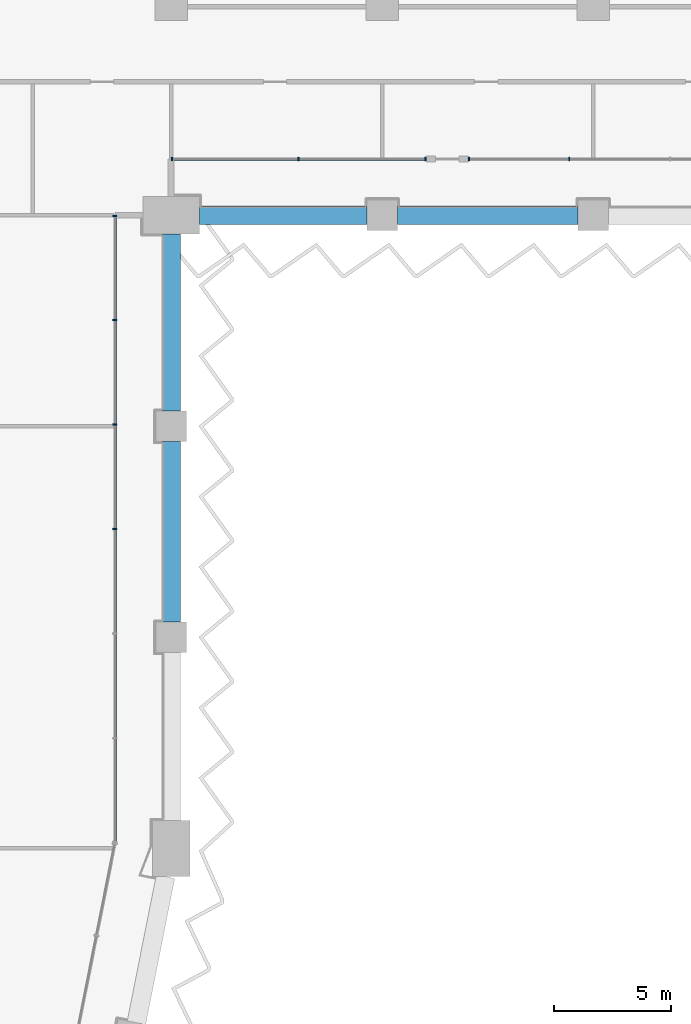
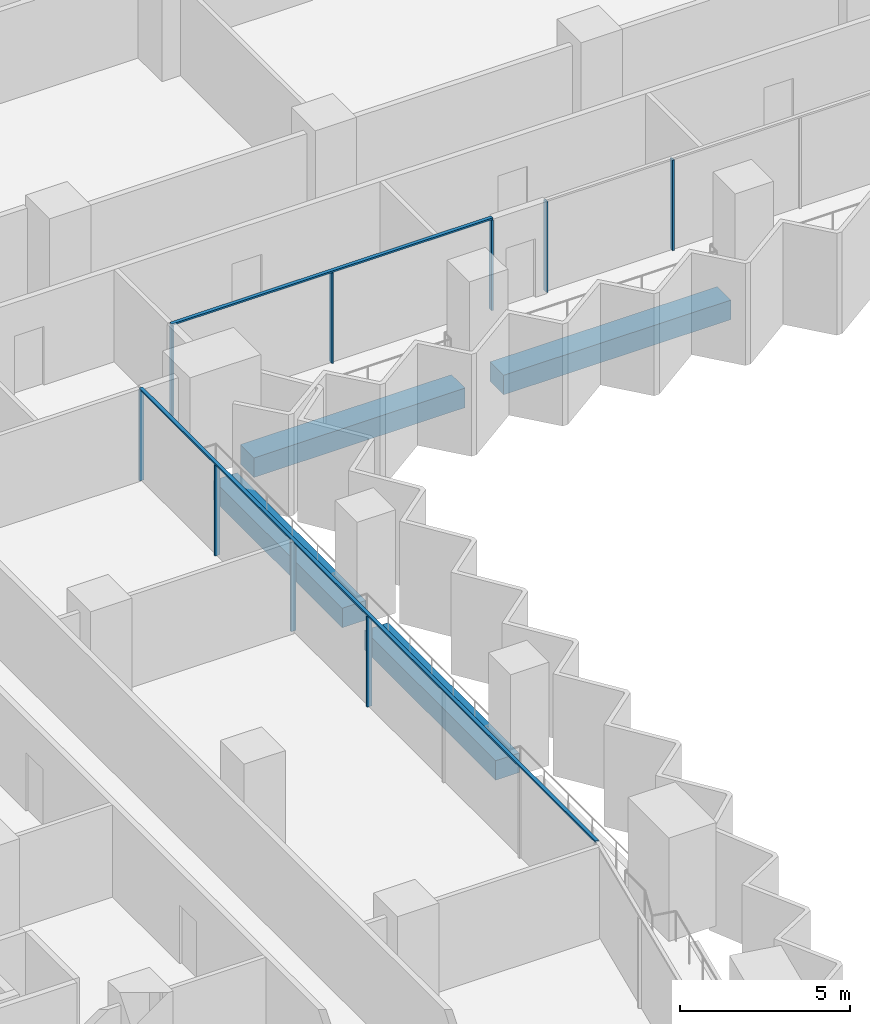
# One storey, part 4 of 29: 11 members, 4 beams, 3 elements without a shape of their own.
"""IFC4 building model written with IfcOpenShell, lengths in metres."""

from ifc_helpers import new_model, si_unit, direction, frame, origin, origin_2d, place, context, subcontext, project, spatial, rectangle, extrude, material, material_profile, profile_set, type_object, element, aggregate, save


model = new_model("IFC4")

# Units and contexts
model_context = context("Model", 3, precision=1e-05, world=origin(), true_north=direction((0.0, 1.0)))
body_context = subcontext(model_context, "Body", "Model", "MODEL_VIEW")
ifc_project = project(units=[si_unit("LENGTHUNIT", "METRE"), si_unit("AREAUNIT", "SQUARE_METRE"), si_unit("VOLUMEUNIT", "CUBIC_METRE"), si_unit("PLANEANGLEUNIT", "RADIAN"), si_unit("MASSUNIT", "GRAM", prefix="KILO")], contexts=[model_context])

# Site, building, storey
site_placement = place(None, origin())
site = spatial("IfcSite", under=ifc_project, at=site_placement, CompositionType="ELEMENT")
building_placement = place(site_placement, origin())
building = spatial("IfcBuilding", under=site, at=building_placement, Name="Hunhe Ridgeline Campus", CompositionType="ELEMENT")
storey_placement = place(building_placement, frame((0.0, 0.0, 54.300048828125)))
storey = spatial("IfcBuildingStorey", under=building, at=storey_placement, Name="L12", CompositionType="ELEMENT", Elevation=54.300048828125)

# Curtain wall, members
ifc_material_1 = material(Name="Aluminium 6063", Category="aluminium")
curtain_wall_type = type_object("IfcCurtainWallType", Name="Curtain wall CW-1", PredefinedType="NOTDEFINED", material=ifc_material_1)
curtain_wall_1_placement = place(storey_placement, origin())
curtain_wall_1 = element("IfcCurtainWall", 1, at=curtain_wall_1_placement, inside=storey, type_object=curtain_wall_type, Name="Curtain wall 11", PredefinedType="NOTDEFINED")
ifc_material_profile_1 = material_profile(ifc_material_1, rectangle(XDim=0.159912109375, YDim=0.06005859375, at=origin_2d()))
ifc_profile_set_1 = profile_set([ifc_material_profile_1], Name="Aluminium 6063")
member_type_1 = type_object("IfcMemberType", Name="CW-1 aluminium mullion", PredefinedType="MULLION", material=ifc_profile_set_1)
member_1_placement = place(storey_placement, frame((42.59912109375, 40.618408203125, 0.0), z_axis=(0.0, 0.0, 1.0), x_axis=(-1.0, 1.8682e-07, 0.0)))
member_1 = element("IfcMember", 2, at=member_1_placement, type_object=member_type_1, Name="CW-1 mullion 4", PredefinedType="MULLION", context=body_context, shape_type="SweptSolid", body=[
    extrude(rectangle(XDim=0.159912109375, YDim=0.06005859375, at=origin_2d()), origin(), (0.0, 0.0, 1.0), 3.239990234375),
])
member_2_placement = place(storey_placement, frame((42.59912109375, 45.078857421875, 0.0), z_axis=(0.0, 0.0, 1.0), x_axis=(-1.0, 1.8682e-07, 0.0)))
member_2 = element("IfcMember", 3, at=member_2_placement, type_object=member_type_1, Name="CW-1 mullion 5", PredefinedType="MULLION", context=body_context, shape_type="SweptSolid", body=[
    extrude(rectangle(XDim=0.159912109375, YDim=0.06005859375, at=origin_2d()), origin(), (0.0, 0.0, 1.0), 3.239990234375),
])
member_3_placement = place(storey_placement, frame((42.59912109375, 49.53955078125, 0.0), z_axis=(0.0, 0.0, 1.0), x_axis=(-1.0, 1.8682e-07, 0.0)))
member_3 = element("IfcMember", 4, at=member_3_placement, type_object=member_type_1, Name="CW-1 mullion 6", PredefinedType="MULLION", context=body_context, shape_type="SweptSolid", body=[
    extrude(rectangle(XDim=0.159912109375, YDim=0.06005859375, at=origin_2d()), origin(), (0.0, 0.0, 1.0), 3.239990234375),
])
member_4_placement = place(storey_placement, frame((42.59912109375, 53.97021484375, 0.0), z_axis=(0.0, 0.0, 1.0), x_axis=(-1.0, 1.8682e-07, 0.0)))
member_4 = element("IfcMember", 5, at=member_4_placement, type_object=member_type_1, Name="CW-1 mullion 7", PredefinedType="MULLION", context=body_context, shape_type="SweptSolid", body=[
    extrude(rectangle(XDim=0.159912109375, YDim=0.06005859375, at=origin_2d()), origin(), (0.0, 0.0, 1.0), 3.239990234375),
])

curtain_wall_2_placement = place(storey_placement, origin())
curtain_wall_2 = element("IfcCurtainWall", 6, at=curtain_wall_2_placement, inside=storey, type_object=curtain_wall_type, Name="Curtain wall 12", PredefinedType="NOTDEFINED")
member_5_placement = place(storey_placement, frame((45.029541015625, 56.40087890625, 0.0), z_axis=(0.0, 0.0, 1.0), x_axis=(-3.58625e-06, 0.999999999994, 0.0)))
member_5 = element("IfcMember", 7, at=member_5_placement, type_object=member_type_1, Name="CW-1 mullion 1", PredefinedType="MULLION", context=body_context, shape_type="SweptSolid", body=[
    extrude(rectangle(XDim=0.159912109375, YDim=0.06005859375, at=origin_2d()), origin(), (0.0, 0.0, 1.0), 3.239990234375),
])
member_6_placement = place(storey_placement, frame((50.436767578125, 56.40087890625, 0.0), z_axis=(0.0, 0.0, 1.0), x_axis=(-3.58625e-06, 0.999999999994, 0.0)))
member_6 = element("IfcMember", 8, at=member_6_placement, type_object=member_type_1, Name="CW-1 mullion 2", PredefinedType="MULLION", context=body_context, shape_type="SweptSolid", body=[
    extrude(rectangle(XDim=0.159912109375, YDim=0.06005859375, at=origin_2d()), origin(), (0.0, 0.0, 1.0), 3.239990234375),
])
member_7_placement = place(storey_placement, frame((55.84423828125, 56.40087890625, 0.0), z_axis=(0.0, 0.0, 1.0), x_axis=(-3.58625e-06, 0.999999999994, 0.0)))
member_7 = element("IfcMember", 9, at=member_7_placement, type_object=member_type_1, Name="CW-1 mullion 3", PredefinedType="MULLION", context=body_context, shape_type="SweptSolid", body=[
    extrude(rectangle(XDim=0.159912109375, YDim=0.06005859375, at=origin_2d()), origin(), (0.0, 0.0, 1.0), 3.239990234375),
])

curtain_wall_3_placement = place(storey_placement, origin())
curtain_wall_3 = element("IfcCurtainWall", 10, at=curtain_wall_3_placement, inside=storey, type_object=curtain_wall_type, Name="Curtain wall 13", PredefinedType="NOTDEFINED")
member_8_placement = place(storey_placement, frame((57.704345703125, 56.40087890625, 0.0), z_axis=(0.0, 0.0, 1.0), x_axis=(-3.602063e-06, 0.999999999994, 0.0)))
member_8 = element("IfcMember", 11, at=member_8_placement, type_object=member_type_1, Name="CW-1 mullion 1", PredefinedType="MULLION", context=body_context, shape_type="SweptSolid", body=[
    extrude(rectangle(XDim=0.159912109375, YDim=0.06005859375, at=origin_2d()), origin(), (0.0, 0.0, 1.0), 3.239990234375),
])
member_9_placement = place(storey_placement, frame((61.977294921875, 56.40087890625, 0.0), z_axis=(0.0, 0.0, 1.0), x_axis=(-3.602063e-06, 0.999999999994, 0.0)))
member_9 = element("IfcMember", 12, at=member_9_placement, type_object=member_type_1, Name="CW-1 mullion 2", PredefinedType="MULLION", context=body_context, shape_type="SweptSolid", body=[
    extrude(rectangle(XDim=0.159912109375, YDim=0.06005859375, at=origin_2d()), origin(), (0.0, 0.0, 1.0), 3.239990234375),
])
aggregate(curtain_wall_3, [member_8, member_9])

# Member
ifc_material_profile_2 = material_profile(ifc_material_1, rectangle(XDim=0.1201171875, YDim=0.06005859375, at=origin_2d()))
ifc_profile_set_2 = profile_set([ifc_material_profile_2], Name="Aluminium 6063")
member_type_2 = type_object("IfcMemberType", Name="CW-1 aluminium transom", PredefinedType="USERDEFINED", material=ifc_profile_set_2)
member_10_placement = place(storey_placement, frame((42.59912109375, 27.236572265625, 3.27001953125), z_axis=(0.0, 1.0, 0.0), x_axis=(-1.0, 0.0, 0.0)))
member_10 = element("IfcMember", 13, at=member_10_placement, type_object=member_type_2, Name="CW-1 transom 1", ObjectType="TRANSOM", PredefinedType="USERDEFINED", context=body_context, shape_type="SweptSolid", body=[
    extrude(rectangle(XDim=0.1201171875, YDim=0.06005859375, at=origin_2d()), origin(), (0.0, 0.0, 1.0), 26.763427734375),
])

aggregate(curtain_wall_1, [member_10, member_1, member_2, member_3, member_4])

member_11_placement = place(storey_placement, frame((44.99951171875, 56.40087890625, 3.27001953125), z_axis=(1.0, 0.0, 0.0), x_axis=(0.0, 1.0, 0.0)))
member_11 = element("IfcMember", 14, at=member_11_placement, type_object=member_type_2, Name="CW-1 transom 1", ObjectType="TRANSOM", PredefinedType="USERDEFINED", context=body_context, shape_type="SweptSolid", body=[
    extrude(rectangle(XDim=0.1201171875, YDim=0.06005859375, at=origin_2d()), origin(), (0.0, 0.0, 1.0), 10.874755859375),
])

aggregate(curtain_wall_2, [member_11, member_5, member_6, member_7])

# Beams
ifc_material_2 = material(Name="Concrete C60", Category="concrete")
ifc_material_profile_3 = material_profile(ifc_material_2, rectangle(XDim=0.800048828125, YDim=0.699951171875, at=origin_2d()))
ifc_profile_set_3 = profile_set([ifc_material_profile_3], Name="Concrete C60")
beam_type = type_object("IfcBeamType", Name="RC spandrel beam 800x700 Concrete C60", PredefinedType="SPANDREL", material=ifc_profile_set_3)
beam_1_placement = place(storey_placement, frame((45.0, 36.64990234375, -0.60009765625), z_axis=(0.0, 1.0, 0.0), x_axis=(-1.0, 0.0, 0.0)))
element("IfcBeam", 15, at=beam_1_placement, inside=storey, type_object=beam_type, Name="Spandrel beam B1-10 L12", PredefinedType="SPANDREL", context=body_context, shape_type="SweptSolid", body=[
    extrude(rectangle(XDim=0.800048828125, YDim=0.699951171875, at=origin_2d()), origin(), (0.0, 0.0, 1.0), 7.7001953125),
])
beam_2_placement = place(storey_placement, frame((45.0, 45.64990234375, -0.60009765625), z_axis=(0.0, 1.0, 0.0), x_axis=(-1.0, 0.0, 0.0)))
element("IfcBeam", 16, at=beam_2_placement, inside=storey, type_object=beam_type, Name="Spandrel beam B1-11 L12", PredefinedType="SPANDREL", context=body_context, shape_type="SweptSolid", body=[
    extrude(rectangle(XDim=0.800048828125, YDim=0.699951171875, at=origin_2d()), origin(), (0.0, 0.0, 1.0), 7.550048828125),
])
beam_3_placement = place(storey_placement, frame((46.199951171875, 54.0, -0.60009765625), z_axis=(1.0, 0.0, 0.0), x_axis=(0.0, 1.0, 0.0)))
element("IfcBeam", 17, at=beam_3_placement, inside=storey, type_object=beam_type, Name="Spandrel beam B1-12 L12", PredefinedType="SPANDREL", context=body_context, shape_type="SweptSolid", body=[
    extrude(rectangle(XDim=0.800048828125, YDim=0.699951171875, at=origin_2d()), origin(), (0.0, 0.0, 1.0), 7.150146484375),
])
beam_4_placement = place(storey_placement, frame((54.64990234375, 54.0, -0.60009765625), z_axis=(1.0, 0.0, 0.0), x_axis=(0.0, 1.0, 0.0)))
element("IfcBeam", 18, at=beam_4_placement, inside=storey, type_object=beam_type, Name="Spandrel beam B1-13 L12", PredefinedType="SPANDREL", context=body_context, shape_type="SweptSolid", body=[
    extrude(rectangle(XDim=0.800048828125, YDim=0.699951171875, at=origin_2d()), origin(), (0.0, 0.0, 1.0), 7.7001953125),
])

save(model, "model.ifc")
